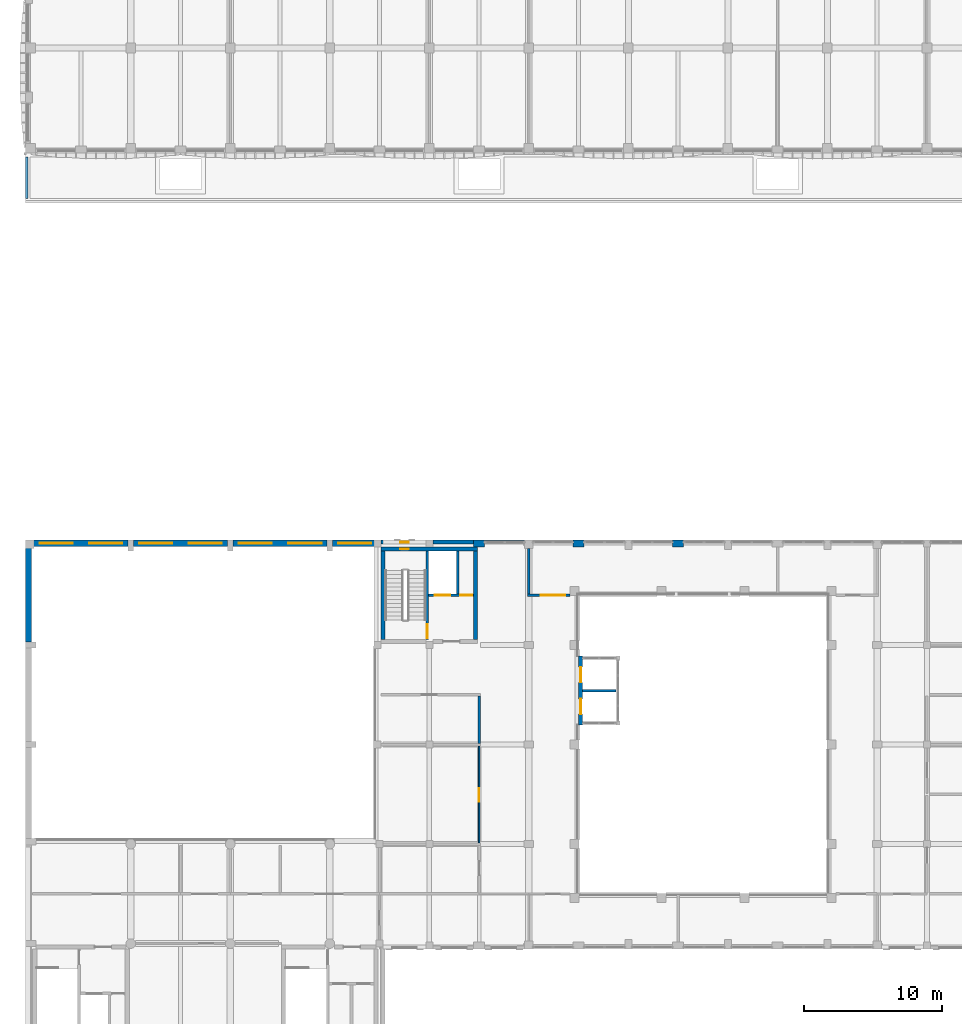
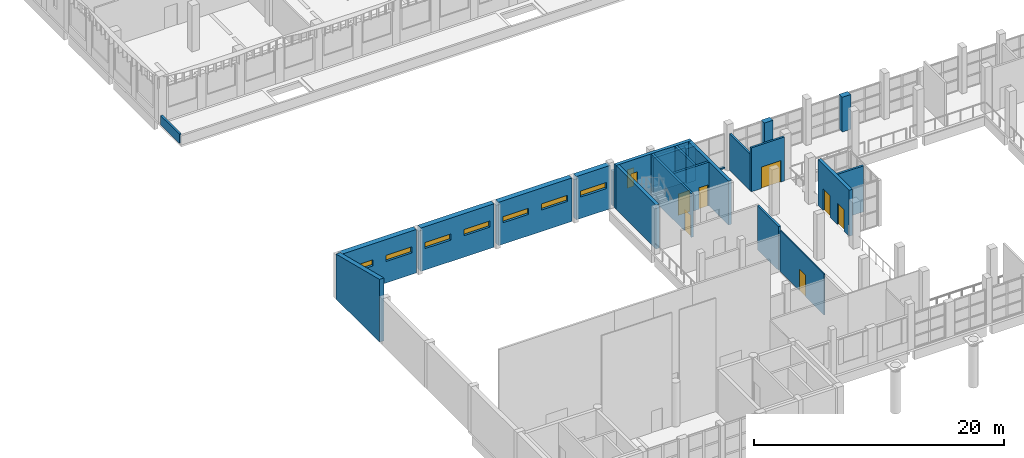
# One storey, part 20 of 59: 24 walls, 9 windows, 7 doors, 16 openings.
"""IFC4 building model written with IfcOpenShell, lengths in metres."""

from ifc_helpers import new_model, si_unit, direction, frame, frame_2d, origin, place, context, subcontext, project, spatial, polyline, rectangle, outline, extrude, material, layer, layer_set, type_object, element, fill, save


model = new_model("IFC4")

# Units and contexts
model_context = context("Model", 3, precision=1e-05, world=origin(), true_north=direction((0.0, 1.0)))
body_context = subcontext(model_context, "Body", "Model", "MODEL_VIEW")
ifc_project = project(units=[si_unit("LENGTHUNIT", "METRE"), si_unit("AREAUNIT", "SQUARE_METRE"), si_unit("VOLUMEUNIT", "CUBIC_METRE"), si_unit("PLANEANGLEUNIT", "RADIAN"), si_unit("MASSUNIT", "GRAM", prefix="KILO")], contexts=[model_context])

# Site, building, storey
site_placement = place(None, origin())
site = spatial("IfcSite", under=ifc_project, at=site_placement, CompositionType="ELEMENT")
building_placement = place(site_placement, origin())
building = spatial("IfcBuilding", under=site, at=building_placement, Name="Ussher Court Research Institute", CompositionType="ELEMENT")
storey_placement = place(building_placement, frame((0.0, 0.0, 5.39990234375)))
storey = spatial("IfcBuildingStorey", under=building, at=storey_placement, Name="L01", CompositionType="ELEMENT", Elevation=5.39990234375)

# Wall, opening, door
ifc_material_1 = material(Name="Plasterboard on steel studs with mineral wool", Category="steel")
ifc_layer_1 = layer(ifc_material_1, 0.179931640625)
ifc_layer_set_1 = layer_set([ifc_layer_1], Name="Plasterboard on steel studs with mineral wool")
wall_type_1 = type_object("IfcWallType", Name="Acoustic twin-stud partition 180", PredefinedType="PARTITIONING", material=ifc_layer_set_1)
wall_1_placement = place(storey_placement, frame((41.97509765625, 36.39990234375, 0.0), z_axis=(0.0, 0.0, 1.0), x_axis=(-1.0, 0.0, 0.0)))
wall_1 = element("IfcWall", 1, at=wall_1_placement, inside=storey, type_object=wall_type_1, Name="Partition", PredefinedType="PARTITIONING", context=body_context, shape_type="SweptSolid", body=[
    extrude(rectangle(XDim=3.065185546875, YDim=0.179931640625, at=frame_2d((1.53271484375, 0.0))), origin(), (0.0, 0.0, 1.0), 4.300048828125),
])
opening_1_placement = place(wall_1_placement, frame((0.324951171875, 0.0, 0.0)))
opening_1 = element("IfcOpeningElement", 2, at=opening_1_placement, cuts=wall_1, Name="Opening D01030", PredefinedType="OPENING", context=body_context, shape_type="SweptSolid", body=[
    extrude(rectangle(XDim=1.800048828125, YDim=2.10009765625, at=frame_2d((0.89990234375, 1.050048828125))), frame((0.0, 0.10009765625, 0.0), z_axis=(0.0, -1.0, 0.0), x_axis=(1.0, 0.0, 0.0)), (0.0, 0.0, 1.0), 0.199951171875),
])
ifc_material_2 = material(Name="Veneered timber door", Category="wood")
door_type_1 = type_object("IfcDoorType", Name="Library door 1800x2100 double leaf", OperationType="DOUBLE_DOOR_SINGLE_SWING", PredefinedType="DOOR", material=ifc_material_2)
door_1_placement = place(opening_1_placement, origin())
door_1 = element("IfcDoor", 3, at=door_1_placement, inside=storey, type_object=door_type_1, Name="Door D01030", OperationType="SINGLE_SWING_LEFT", OverallHeight=2.10009765625, OverallWidth=1.800048828125, PredefinedType="DOOR", context=body_context, shape_type="SweptSolid", body=[
    extrude(rectangle(XDim=1.800048828125, YDim=2.10009765625, at=frame_2d((0.89990234375, 1.050048828125))), frame((0.0, 0.02490234375, 0.0), z_axis=(0.0, -1.0, 0.0), x_axis=(1.0, 0.0, 0.0)), (0.0, 0.0, 1.0), 0.050048828125),
])
fill(opening_1, door_1)

# Walls
wall_2_placement = place(storey_placement, frame((35.39990234375, 25.68994140625, 0.0), z_axis=(0.0, 0.0, 1.0), x_axis=(0.0, 1.0, 0.0)))
element("IfcWall", 4, at=wall_2_placement, inside=storey, type_object=wall_type_1, Name="Partition", PredefinedType="PARTITIONING", context=body_context, shape_type="SweptSolid", body=[
    extrude(rectangle(XDim=3.420166015625, YDim=0.179931640625, at=frame_2d((1.7099609375, 0.0))), origin(), (0.0, 0.0, 1.0), 4.300048828125),
])
wall_3_placement = place(storey_placement, frame((39.0, 36.489990234375, 0.0), z_axis=(0.0, 0.0, 1.0), x_axis=(0.0, 1.0, 0.0)))
element("IfcWall", 5, at=wall_3_placement, inside=storey, type_object=wall_type_1, Name="Partition", PredefinedType="PARTITIONING", context=body_context, shape_type="SweptSolid", body=[
    extrude(rectangle(XDim=3.31005859375, YDim=0.179931640625, at=frame_2d((1.655029296875, 0.0))), origin(), (0.0, 0.0, 1.0), 3.570068359375),
])
ifc_material_3 = material(Name="Concrete C35/45", Category="concrete")
ifc_layer_2 = layer(ifc_material_3, 0.419921875)
ifc_layer_set_2 = layer_set([ifc_layer_2], Name="Concrete C35/45")
wall_type_2 = type_object("IfcWallType", Name="Blind west wall 420 reinforced concrete limestone faced", PredefinedType="SOLIDWALL", material=ifc_layer_set_2)
wall_4_placement = place(storey_placement, frame((2.81005859375, 33.02490234375, 0.0), z_axis=(0.0, 0.0, 1.0), x_axis=(0.0, 1.0, 0.0)))
element("IfcWall", 6, at=wall_4_placement, inside=storey, type_object=wall_type_2, Name="RC wall RW2 west", PredefinedType="SOLIDWALL", context=body_context, shape_type="SweptSolid", body=[
    extrude(outline(polyline([(0.0, 0.0), (6.97509765625, 0.0), (6.97509765625, 4.400146484375), (0.0, 6.143798828125), (0.0, 0.0)])), frame((0.0, 0.2099609375, 0.0), z_axis=(0.0, -1.0, 0.0), x_axis=(1.0, 0.0, 0.0)), (0.0, 0.0, 1.0), 0.419921875),
])

# Wall, opening, window
ifc_material_4 = material(Name="Limestone facing on blockwork", Category="masonry")
ifc_layer_3 = layer(ifc_material_4, 0.300048828125)
ifc_layer_set_3 = layer_set([ifc_layer_3], Name="Limestone facing on blockwork")
wall_type_3 = type_object("IfcWallType", Name="External wall 300 stair enclosure", PredefinedType="SOLIDWALL", material=ifc_layer_set_3)
wall_5_placement = place(storey_placement, frame((28.300048828125, 40.25, 0.0), z_axis=(0.0, 0.0, 1.0), x_axis=(1.0, 0.0, 0.0)))
wall_5 = element("IfcWall", 7, at=wall_5_placement, inside=storey, type_object=wall_type_3, Name="External wall EW5 L01", PredefinedType="SOLIDWALL", context=body_context, shape_type="SweptSolid", body=[
    extrude(rectangle(XDim=3.25, YDim=0.300048828125, at=frame_2d((1.625, 0.0))), origin(), (0.0, 0.0, 1.0), 3.400146484375),
])
opening_2_placement = place(wall_5_placement, frame((1.39990234375, 0.0, 1.199951171875)))
opening_2 = element("IfcOpeningElement", 8, at=opening_2_placement, cuts=wall_5, Name="Opening W25", PredefinedType="OPENING", context=body_context, shape_type="SweptSolid", body=[
    extrude(rectangle(XDim=0.60009765625, YDim=1.800048828125, at=frame_2d((0.300048828125, 0.89990234375))), frame((0.0, 0.16015625, 0.0), z_axis=(0.0, -1.0, 0.0), x_axis=(1.0, 0.0, 0.0)), (0.0, 0.0, 1.0), 0.320068359375),
])
ifc_material_5 = material(Name="Bronze anodised aluminium with double glazing", Category="aluminium")
window_type_1 = type_object("IfcWindowType", Name="Stair light slot window 600x1800 fire-resisting glazing", PartitioningType="SINGLE_PANEL", PredefinedType="WINDOW", material=ifc_material_5)
window_1_placement = place(opening_2_placement, origin())
window_1 = element("IfcWindow", 9, at=window_1_placement, inside=storey, type_object=window_type_1, Name="Window W25 L01", OverallHeight=1.800048828125, OverallWidth=0.60009765625, PartitioningType="SINGLE_PANEL", PredefinedType="WINDOW", context=body_context, shape_type="SweptSolid", body=[
    extrude(rectangle(XDim=0.60009765625, YDim=1.800048828125, at=frame_2d((0.300048828125, 0.89990234375))), frame((0.0, 0.030029296875, 0.0), z_axis=(0.0, -1.0, 0.0), x_axis=(1.0, 0.0, 0.0)), (0.0, 0.0, 1.0), 0.06005859375),
])
fill(opening_2, window_1)

# Walls
wall_6_placement = place(storey_placement, frame((32.050048828125, 40.25, 0.0), z_axis=(0.0, 0.0, 1.0), x_axis=(1.0, 0.0, 0.0)))
element("IfcWall", 10, at=wall_6_placement, inside=storey, type_object=wall_type_3, Name="External wall EW5 L01", PredefinedType="SOLIDWALL", context=body_context, shape_type="SweptSolid", body=[
    extrude(rectangle(XDim=2.949951171875, YDim=0.300048828125, at=frame_2d((1.47509765625, 0.0))), origin(), (0.0, 0.0, 1.0), 3.400146484375),
])
ifc_material_6 = material(Name="Limestone facing on insulated blockwork", Category="masonry")
ifc_layer_4 = layer(ifc_material_6, 0.219970703125)
ifc_layer_set_4 = layer_set([ifc_layer_4], Name="Limestone facing on insulated blockwork")
wall_type_4 = type_object("IfcWallType", Name="Link wall 220 limestone faced insulated block", PredefinedType="SOLIDWALL", material=ifc_layer_set_4)
wall_7_placement = place(storey_placement, frame((35.800048828125, 40.2900390625, 0.0), z_axis=(0.0, 0.0, 1.0), x_axis=(1.0, 0.0, 0.0)))
element("IfcWall", 11, at=wall_7_placement, inside=storey, type_object=wall_type_4, Name="Plinth wall EW6 L01", PredefinedType="SOLIDWALL", context=body_context, shape_type="SweptSolid", body=[
    extrude(rectangle(XDim=2.89990234375, YDim=0.219970703125, at=frame_2d((1.449951171875, 0.0))), origin(), (0.0, 0.0, 1.0), 0.150146484375),
])
ifc_material_7 = material(Name="Blockwork with cream render", Category="masonry")
ifc_layer_5 = layer(ifc_material_7, 0.179931640625)
ifc_layer_set_5 = layer_set([ifc_layer_5], Name="Blockwork with cream render")
wall_type_5 = type_object("IfcWallType", Name="Parapet 180 cream render", PredefinedType="PARAPET", material=ifc_layer_set_5)
wall_8_placement = place(storey_placement, frame((2.68994140625, 68.10009765625, 0.0), z_axis=(0.0, 0.0, 1.0), x_axis=(0.0, -1.0, 0.0)))
element("IfcWall", 12, at=wall_8_placement, inside=storey, type_object=wall_type_5, Name="Parapet PW1", PredefinedType="PARAPET", context=body_context, shape_type="SweptSolid", body=[
    extrude(rectangle(XDim=3.0, YDim=0.179931640625, at=frame_2d((1.5, 0.0))), origin(), (0.0, 0.0, 1.0), 0.900146484375),
])

# Wall, opening, door
ifc_material_8 = material(Name="Plastered blockwork", Category="masonry")
ifc_layer_6 = layer(ifc_material_8, 0.10009765625)
ifc_layer_set_6 = layer_set([ifc_layer_6], Name="Plastered blockwork")
wall_type_6 = type_object("IfcWallType", Name="Partition plastered blockwork 100", PredefinedType="PARTITIONING", material=ifc_layer_set_6)
wall_9_placement = place(storey_placement, frame((35.39990234375, 18.489990234375, 0.0), z_axis=(0.0, 0.0, 1.0), x_axis=(0.0, 1.0, 0.0)))
wall_9 = element("IfcWall", 13, at=wall_9_placement, inside=storey, type_object=wall_type_6, Name="Partition", PredefinedType="PARTITIONING", context=body_context, shape_type="SweptSolid", body=[
    extrude(rectangle(XDim=7.02001953125, YDim=0.10009765625, at=frame_2d((3.510009765625, 0.0))), origin(), (0.0, 0.0, 1.0), 4.02001953125),
])
opening_3_placement = place(wall_9_placement, frame((2.9599609375, 0.0, 0.0)))
opening_3 = element("IfcOpeningElement", 14, at=opening_3_placement, cuts=wall_9, Name="Opening D01027", PredefinedType="OPENING", context=body_context, shape_type="SweptSolid", body=[
    extrude(rectangle(XDim=1.0, YDim=2.10009765625, at=frame_2d((0.5, 1.050048828125))), frame((0.0, 0.06005859375, 0.0), z_axis=(0.0, -1.0, 0.0), x_axis=(1.0, 0.0, 0.0)), (0.0, 0.0, 1.0), 0.1201171875),
])
ifc_material_9 = material(Name="Veneered timber door", Category="wood")
door_type_2 = type_object("IfcDoorType", Name="Office door 1000x2100", OperationType="NOTDEFINED", PredefinedType="DOOR", material=ifc_material_9)
door_2_placement = place(opening_3_placement, origin())
door_2 = element("IfcDoor", 15, at=door_2_placement, inside=storey, type_object=door_type_2, Name="Door D01027", OperationType="SINGLE_SWING_LEFT", OverallHeight=2.10009765625, OverallWidth=1.0, PredefinedType="DOOR", context=body_context, shape_type="SweptSolid", body=[
    extrude(rectangle(XDim=1.0, YDim=2.10009765625, at=frame_2d((0.5, 1.050048828125))), frame((0.0, 0.02490234375, 0.0), z_axis=(0.0, -1.0, 0.0), x_axis=(1.0, 0.0, 0.0)), (0.0, 0.0, 1.0), 0.050048828125),
])
fill(opening_3, door_2)

# Walls
ifc_material_10 = material(Name="Rusticated limestone facing on blockwork", Category="masonry")
ifc_layer_7 = layer(ifc_material_10, 0.5)
ifc_layer_set_7 = layer_set([ifc_layer_7], Name="Rusticated limestone facing on blockwork")
wall_type_7 = type_object("IfcWallType", Name="Pier 800x500 rusticated limestone", PredefinedType="SOLIDWALL", material=ifc_layer_set_7)
for number, where, z_axis, x_axis, name in (
    (16, (35.0, 40.14990234375, 0.0), (0.0, 0.0, 1.0), (1.0, 0.0, 0.0), "Pier PR2 L01"),
    (17, (42.199951171875, 40.14990234375, 0.0), (0.0, 0.0, 1.0), (1.0, 0.0, 0.0), "Pier PR2 L01"),
    (18, (49.39990234375, 40.14990234375, 0.0), (0.0, 0.0, 1.0), (1.0, 0.0, 0.0), "Pier PR2 L01"),
):
    element("IfcWall", number, at=place(storey_placement, frame(where, z_axis=z_axis, x_axis=x_axis)), inside=storey, type_object=wall_type_7, Name=name, PredefinedType="SOLIDWALL", context=body_context, shape_type="SweptSolid", body=[
        extrude(rectangle(XDim=0.800048828125, YDim=0.5, at=frame_2d((0.39990234375, 0.0))), origin(), (0.0, 0.0, 1.0), 3.400146484375),
    ])

# Wall, opening, door
ifc_material_11 = material(Name="Concrete C35/45", Category="concrete")
ifc_layer_8 = layer(ifc_material_11, 0.199951171875)
ifc_layer_set_8 = layer_set([ifc_layer_8], Name="Concrete C35/45")
wall_type_8 = type_object("IfcWallType", Name="RC core wall 200", PredefinedType="SHEAR", material=ifc_layer_set_8)
wall_10_placement = place(storey_placement, frame((31.64990234375, 33.199951171875, 0.0), z_axis=(0.0, 0.0, 1.0), x_axis=(0.0, 1.0, 0.0)))
wall_10 = element("IfcWall", 19, at=wall_10_placement, inside=storey, type_object=wall_type_8, Name="Core wall W1", PredefinedType="SHEAR", context=body_context, shape_type="SweptSolid", body=[
    extrude(rectangle(XDim=6.400146484375, YDim=0.199951171875, at=frame_2d((3.2001953125, 0.0))), origin(), (0.0, 0.0, 1.0), 4.300048828125),
])
opening_4_placement = place(wall_10_placement, frame((0.10009765625, 0.0, 0.0)))
opening_4 = element("IfcOpeningElement", 20, at=opening_4_placement, cuts=wall_10, Name="Opening D01021", PredefinedType="OPENING", context=body_context, shape_type="SweptSolid", body=[
    extrude(rectangle(XDim=1.0, YDim=2.10009765625, at=frame_2d((0.5, 1.050048828125))), frame((0.0, 0.10986328125, 0.0), z_axis=(0.0, -1.0, 0.0), x_axis=(1.0, 0.0, 0.0)), (0.0, 0.0, 1.0), 0.219970703125),
])
ifc_material_12 = material(Name="Painted steel faced fire door", Category="steel")
door_type_3 = type_object("IfcDoorType", Name="Fire door 1000x2100 FD60", OperationType="NOTDEFINED", PredefinedType="DOOR", material=ifc_material_12)
door_3_placement = place(opening_4_placement, origin())
door_3 = element("IfcDoor", 21, at=door_3_placement, inside=storey, type_object=door_type_3, Name="Door D01021", OperationType="SINGLE_SWING_LEFT", OverallHeight=2.10009765625, OverallWidth=1.0, PredefinedType="DOOR", context=body_context, shape_type="SweptSolid", body=[
    extrude(rectangle(XDim=1.0, YDim=2.10009765625, at=frame_2d((0.5, 1.050048828125))), frame((0.0, 0.02490234375, 0.0), z_axis=(0.0, -1.0, 0.0), x_axis=(1.0, 0.0, 0.0)), (0.0, 0.0, 1.0), 0.050048828125),
])
fill(opening_4, door_3)

# Wall, openings, doors
wall_11_placement = place(storey_placement, frame((35.0, 36.39990234375, 0.0), z_axis=(0.0, 0.0, 1.0), x_axis=(-1.0, 0.0, 0.0)))
wall_11 = element("IfcWall", 22, at=wall_11_placement, inside=storey, type_object=wall_type_8, Name="Core wall W1", PredefinedType="SHEAR", context=body_context, shape_type="SweptSolid", body=[
    extrude(rectangle(XDim=3.25, YDim=0.199951171875, at=frame_2d((1.625, 0.0))), origin(), (0.0, 0.0, 1.0), 4.300048828125),
])
opening_5_placement = place(wall_11_placement, frame((1.699951171875, 0.0, 0.0)))
opening_5 = element("IfcOpeningElement", 23, at=opening_5_placement, cuts=wall_11, Name="Opening LD16", PredefinedType="OPENING", context=body_context, shape_type="SweptSolid", body=[
    extrude(rectangle(XDim=1.10009765625, YDim=2.10009765625, at=frame_2d((0.550048828125, 1.050048828125))), frame((0.0, 0.10986328125, 0.0), z_axis=(0.0, -1.0, 0.0), x_axis=(1.0, 0.0, 0.0)), (0.0, 0.0, 1.0), 0.219970703125),
])
opening_6_placement = place(wall_11_placement, frame((0.10009765625, 0.0, 0.0)))
opening_6 = element("IfcOpeningElement", 24, at=opening_6_placement, cuts=wall_11, Name="Opening D01025", PredefinedType="OPENING", context=body_context, shape_type="SweptSolid", body=[
    extrude(rectangle(XDim=0.85009765625, YDim=2.10009765625, at=frame_2d((0.425048828125, 1.050048828125))), frame((0.0, 0.10986328125, 0.0), z_axis=(0.0, -1.0, 0.0), x_axis=(1.0, 0.0, 0.0)), (0.0, 0.0, 1.0), 0.219970703125),
])
ifc_material_13 = material(Name="Painted steel faced fire door", Category="steel")
door_type_4 = type_object("IfcDoorType", Name="Fire door 850x2100 FD60", OperationType="NOTDEFINED", PredefinedType="DOOR", material=ifc_material_13)
door_4_placement = place(opening_6_placement, origin())
door_4 = element("IfcDoor", 25, at=door_4_placement, inside=storey, type_object=door_type_4, Name="Door D01025", OperationType="SINGLE_SWING_LEFT", OverallHeight=2.10009765625, OverallWidth=0.85009765625, PredefinedType="DOOR", context=body_context, shape_type="SweptSolid", body=[
    extrude(rectangle(XDim=0.85009765625, YDim=2.10009765625, at=frame_2d((0.425048828125, 1.050048828125))), frame((0.0, 0.02490234375, 0.0), z_axis=(0.0, -1.0, 0.0), x_axis=(1.0, 0.0, 0.0)), (0.0, 0.0, 1.0), 0.050048828125),
])
fill(opening_6, door_4)
ifc_material_14 = material(Name="Stainless steel lift door", Category="steel")
door_type_5 = type_object("IfcDoorType", Name="Lift landing door 1100x2100 sliding", OperationType="DOUBLE_DOOR_SLIDING", PredefinedType="DOOR", material=ifc_material_14)
door_5_placement = place(opening_5_placement, origin())
door_5 = element("IfcDoor", 26, at=door_5_placement, inside=storey, type_object=door_type_5, Name="Landing door W1-1 L01", OperationType="DOUBLE_DOOR_SLIDING", OverallHeight=2.10009765625, OverallWidth=1.10009765625, PredefinedType="DOOR", context=body_context, shape_type="SweptSolid", body=[
    extrude(rectangle(XDim=1.10009765625, YDim=2.10009765625, at=frame_2d((0.550048828125, 1.050048828125))), frame((0.0, 0.02490234375, 0.0), z_axis=(0.0, -1.0, 0.0), x_axis=(1.0, 0.0, 0.0)), (0.0, 0.0, 1.0), 0.050048828125),
])
fill(opening_5, door_5)

# Walls
wall_12_placement = place(storey_placement, frame((33.85009765625, 36.5, 0.0), z_axis=(0.0, 0.0, 1.0), x_axis=(0.0, 1.0, 0.0)))
element("IfcWall", 27, at=wall_12_placement, inside=storey, type_object=wall_type_8, Name="Core wall W1", PredefinedType="SHEAR", context=body_context, shape_type="SweptSolid", body=[
    extrude(rectangle(XDim=3.10009765625, YDim=0.199951171875, at=frame_2d((1.550048828125, 0.0))), origin(), (0.0, 0.0, 1.0), 4.300048828125),
])
wall_13_placement = place(storey_placement, frame((42.89990234375, 29.5, 0.0), z_axis=(0.0, 0.0, 1.0), x_axis=(1.0, 0.0, 0.0)))
element("IfcWall", 28, at=wall_13_placement, inside=storey, type_object=wall_type_8, Name="Lift shaft divider atrium", PredefinedType="SHEAR", context=body_context, shape_type="SweptSolid", body=[
    extrude(rectangle(XDim=2.400146484375, YDim=0.199951171875, at=frame_2d((1.2001953125, 0.0))), origin(), (0.0, 0.0, 1.0), 4.5),
])

# Wall, opening, window
ifc_material_15 = material(Name="Concrete C35/45", Category="concrete")
ifc_layer_9 = layer(ifc_material_15, 0.300048828125)
ifc_layer_set_9 = layer_set([ifc_layer_9], Name="Concrete C35/45")
wall_type_9 = type_object("IfcWallType", Name="RC core wall 300", PredefinedType="SHEAR", material=ifc_layer_set_9)
wall_14_placement = place(storey_placement, frame((28.300048828125, 39.75, 0.0), z_axis=(0.0, 0.0, 1.0), x_axis=(1.0, 0.0, 0.0)))
wall_14 = element("IfcWall", 29, at=wall_14_placement, inside=storey, type_object=wall_type_9, Name="Core wall W1", PredefinedType="SHEAR", context=body_context, shape_type="SweptSolid", body=[
    extrude(rectangle(XDim=7.0, YDim=0.300048828125, at=frame_2d((3.5, 0.0))), origin(), (0.0, 0.0, 1.0), 4.300048828125),
])
opening_7_placement = place(wall_14_placement, frame((1.39990234375, 0.0, 1.199951171875)))
opening_7 = element("IfcOpeningElement", 30, at=opening_7_placement, cuts=wall_14, Name="Opening W25", PredefinedType="OPENING", context=body_context, shape_type="SweptSolid", body=[
    extrude(rectangle(XDim=0.60009765625, YDim=1.800048828125, at=frame_2d((0.300048828125, 0.89990234375))), frame((0.0, 0.16015625, 0.0), z_axis=(0.0, -1.0, 0.0), x_axis=(1.0, 0.0, 0.0)), (0.0, 0.0, 1.0), 0.320068359375),
])
window_2_placement = place(opening_7_placement, origin())
window_2 = element("IfcWindow", 31, at=window_2_placement, inside=storey, type_object=window_type_1, Name="Window stair light W1 L01", OverallHeight=1.800048828125, OverallWidth=0.60009765625, PartitioningType="SINGLE_PANEL", PredefinedType="WINDOW", context=body_context, shape_type="SweptSolid", body=[
    extrude(rectangle(XDim=0.60009765625, YDim=1.800048828125, at=frame_2d((0.300048828125, 0.89990234375))), frame((0.0, 0.030029296875, 0.0), z_axis=(0.0, -1.0, 0.0), x_axis=(1.0, 0.0, 0.0)), (0.0, 0.0, 1.0), 0.06005859375),
])
fill(opening_7, window_2)

# Walls
for number, where, z_axis, x_axis, name in (
    (32, (28.449951171875, 33.199951171875, 0.0), (0.0, 0.0, 1.0), (0.0, 1.0, 0.0), "Core wall W1"),
    (33, (35.14990234375, 33.199951171875, 0.0), (0.0, 0.0, 1.0), (0.0, 1.0, 0.0), "Core wall W1"),
):
    element("IfcWall", number, at=place(storey_placement, frame(where, z_axis=z_axis, x_axis=x_axis)), inside=storey, type_object=wall_type_9, Name=name, PredefinedType="SHEAR", context=body_context, shape_type="SweptSolid", body=[
        extrude(rectangle(XDim=6.400146484375, YDim=0.300048828125, at=frame_2d((3.2001953125, 0.0))), origin(), (0.0, 0.0, 1.0), 4.300048828125),
    ])

# Wall, openings, doors
wall_15_placement = place(storey_placement, frame((42.75, 27.0, 0.0), z_axis=(0.0, 0.0, 1.0), x_axis=(0.0, 1.0, 0.0)))
wall_15 = element("IfcWall", 34, at=wall_15_placement, inside=storey, type_object=wall_type_9, Name="Lift shaft wall atrium", PredefinedType="SHEAR", context=body_context, shape_type="SweptSolid", body=[
    extrude(rectangle(XDim=5.0, YDim=0.300048828125, at=frame_2d((2.5, 0.0))), origin(), (0.0, 0.0, 1.0), 4.5),
])
opening_8_placement = place(wall_15_placement, frame((0.800048828125, 0.0, 0.0)))
opening_8 = element("IfcOpeningElement", 35, at=opening_8_placement, cuts=wall_15, Name="Opening LD17", PredefinedType="OPENING", context=body_context, shape_type="SweptSolid", body=[
    extrude(rectangle(XDim=1.10009765625, YDim=2.10009765625, at=frame_2d((0.550048828125, 1.050048828125))), frame((0.0, 0.16015625, 0.0), z_axis=(0.0, -1.0, 0.0), x_axis=(1.0, 0.0, 0.0)), (0.0, 0.0, 1.0), 0.320068359375),
])
opening_9_placement = place(wall_15_placement, frame((3.10009765625, 0.0, 0.0)))
opening_9 = element("IfcOpeningElement", 36, at=opening_9_placement, cuts=wall_15, Name="Opening LD18", PredefinedType="OPENING", context=body_context, shape_type="SweptSolid", body=[
    extrude(rectangle(XDim=1.10009765625, YDim=2.10009765625, at=frame_2d((0.550048828125, 1.050048828125))), frame((0.0, 0.16015625, 0.0), z_axis=(0.0, -1.0, 0.0), x_axis=(1.0, 0.0, 0.0)), (0.0, 0.0, 1.0), 0.320068359375),
])
door_6_placement = place(opening_8_placement, origin())
door_6 = element("IfcDoor", 37, at=door_6_placement, inside=storey, type_object=door_type_5, Name="Landing door LP7 L01", OperationType="DOUBLE_DOOR_SLIDING", OverallHeight=2.10009765625, OverallWidth=1.10009765625, PredefinedType="DOOR", context=body_context, shape_type="SweptSolid", body=[
    extrude(rectangle(XDim=1.10009765625, YDim=2.10009765625, at=frame_2d((0.550048828125, 1.050048828125))), frame((0.0, 0.02490234375, 0.0), z_axis=(0.0, -1.0, 0.0), x_axis=(1.0, 0.0, 0.0)), (0.0, 0.0, 1.0), 0.050048828125),
])
fill(opening_8, door_6)
door_7_placement = place(opening_9_placement, origin())
door_7 = element("IfcDoor", 38, at=door_7_placement, inside=storey, type_object=door_type_5, Name="Landing door LP8 L01", OperationType="DOUBLE_DOOR_SLIDING", OverallHeight=2.10009765625, OverallWidth=1.10009765625, PredefinedType="DOOR", context=body_context, shape_type="SweptSolid", body=[
    extrude(rectangle(XDim=1.10009765625, YDim=2.10009765625, at=frame_2d((0.550048828125, 1.050048828125))), frame((0.0, 0.02490234375, 0.0), z_axis=(0.0, -1.0, 0.0), x_axis=(1.0, 0.0, 0.0)), (0.0, 0.0, 1.0), 0.050048828125),
])
fill(opening_9, door_7)

# Wall, openings, windows
ifc_material_16 = material(Name="Concrete C35/45", Category="concrete")
ifc_layer_10 = layer(ifc_material_16, 0.47998046875)
ifc_layer_set_10 = layer_set([ifc_layer_10], Name="Concrete C35/45")
wall_type_10 = type_object("IfcWallType", Name="Stage house wall 480 reinforced concrete limestone faced", PredefinedType="SOLIDWALL", material=ifc_layer_set_10)
wall_16_placement = place(storey_placement, frame((3.0, 40.159912109375, 0.0), z_axis=(0.0, 0.0, 1.0), x_axis=(1.0, 0.0, 0.0)))
wall_16 = element("IfcWall", 39, at=wall_16_placement, inside=storey, type_object=wall_type_10, Name="RC wall RW3 north", PredefinedType="SOLIDWALL", context=body_context, shape_type="SweptSolid", body=[
    extrude(rectangle(XDim=7.0, YDim=0.47998046875, at=frame_2d((3.5, 0.0))), origin(), (0.0, 0.0, 1.0), 4.25),
])
opening_10_placement = place(wall_16_placement, frame((0.60009765625, 0.0, 2.10009765625)))
opening_10 = element("IfcOpeningElement", 40, at=opening_10_placement, cuts=wall_16, Name="Opening W07", PredefinedType="OPENING", context=body_context, shape_type="SweptSolid", body=[
    extrude(rectangle(XDim=2.39990234375, YDim=0.60009765625, at=frame_2d((1.199951171875, 0.300048828125))), frame((0.0, 0.25, 0.0), z_axis=(0.0, -1.0, 0.0), x_axis=(1.0, 0.0, 0.0)), (0.0, 0.0, 1.0), 0.5),
])
opening_11_placement = place(wall_16_placement, frame((4.199951171875, 0.0, 2.10009765625)))
opening_11 = element("IfcOpeningElement", 41, at=opening_11_placement, cuts=wall_16, Name="Opening W07", PredefinedType="OPENING", context=body_context, shape_type="SweptSolid", body=[
    extrude(rectangle(XDim=2.39990234375, YDim=0.60009765625, at=frame_2d((1.199951171875, 0.300048828125))), frame((0.0, 0.25, 0.0), z_axis=(0.0, -1.0, 0.0), x_axis=(1.0, 0.0, 0.0)), (0.0, 0.0, 1.0), 0.5),
])
ifc_material_17 = material(Name="Bronze anodised aluminium with double glazing", Category="aluminium")
window_type_2 = type_object("IfcWindowType", Name="Stage house slot band window 2400x600", PartitioningType="TRIPLE_PANEL_HORIZONTAL", PredefinedType="WINDOW", material=ifc_material_17)
window_3_placement = place(opening_10_placement, origin())
window_3 = element("IfcWindow", 42, at=window_3_placement, inside=storey, type_object=window_type_2, Name="Window W07 north", OverallHeight=0.60009765625, OverallWidth=2.39990234375, PartitioningType="SINGLE_PANEL", PredefinedType="WINDOW", context=body_context, shape_type="SweptSolid", body=[
    extrude(rectangle(XDim=2.39990234375, YDim=0.60009765625, at=frame_2d((1.199951171875, 0.300048828125))), frame((0.0, 0.030029296875, 0.0), z_axis=(0.0, -1.0, 0.0), x_axis=(1.0, 0.0, 0.0)), (0.0, 0.0, 1.0), 0.06005859375),
])
fill(opening_10, window_3)
window_4_placement = place(opening_11_placement, origin())
window_4 = element("IfcWindow", 43, at=window_4_placement, inside=storey, type_object=window_type_2, Name="Window W07 north", OverallHeight=0.60009765625, OverallWidth=2.39990234375, PartitioningType="SINGLE_PANEL", PredefinedType="WINDOW", context=body_context, shape_type="SweptSolid", body=[
    extrude(rectangle(XDim=2.39990234375, YDim=0.60009765625, at=frame_2d((1.199951171875, 0.300048828125))), frame((0.0, 0.030029296875, 0.0), z_axis=(0.0, -1.0, 0.0), x_axis=(1.0, 0.0, 0.0)), (0.0, 0.0, 1.0), 0.06005859375),
])
fill(opening_11, window_4)

wall_17_placement = place(storey_placement, frame((10.39990234375, 40.159912109375, 0.0), z_axis=(0.0, 0.0, 1.0), x_axis=(1.0, 0.0, 0.0)))
wall_17 = element("IfcWall", 44, at=wall_17_placement, inside=storey, type_object=wall_type_10, Name="RC wall RW3 north", PredefinedType="SOLIDWALL", context=body_context, shape_type="SweptSolid", body=[
    extrude(rectangle(XDim=6.800048828125, YDim=0.47998046875, at=frame_2d((3.39990234375, 0.0))), origin(), (0.0, 0.0, 1.0), 4.25),
])
opening_12_placement = place(wall_17_placement, frame((0.39990234375, 0.0, 2.10009765625)))
opening_12 = element("IfcOpeningElement", 45, at=opening_12_placement, cuts=wall_17, Name="Opening W07", PredefinedType="OPENING", context=body_context, shape_type="SweptSolid", body=[
    extrude(rectangle(XDim=2.39990234375, YDim=0.60009765625, at=frame_2d((1.199951171875, 0.300048828125))), frame((0.0, 0.25, 0.0), z_axis=(0.0, -1.0, 0.0), x_axis=(1.0, 0.0, 0.0)), (0.0, 0.0, 1.0), 0.5),
])
opening_13_placement = place(wall_17_placement, frame((4.0, 0.0, 2.10009765625)))
opening_13 = element("IfcOpeningElement", 46, at=opening_13_placement, cuts=wall_17, Name="Opening W07", PredefinedType="OPENING", context=body_context, shape_type="SweptSolid", body=[
    extrude(rectangle(XDim=2.39990234375, YDim=0.60009765625, at=frame_2d((1.199951171875, 0.300048828125))), frame((0.0, 0.25, 0.0), z_axis=(0.0, -1.0, 0.0), x_axis=(1.0, 0.0, 0.0)), (0.0, 0.0, 1.0), 0.5),
])
window_5_placement = place(opening_12_placement, origin())
window_5 = element("IfcWindow", 47, at=window_5_placement, inside=storey, type_object=window_type_2, Name="Window W07 north", OverallHeight=0.60009765625, OverallWidth=2.39990234375, PartitioningType="SINGLE_PANEL", PredefinedType="WINDOW", context=body_context, shape_type="SweptSolid", body=[
    extrude(rectangle(XDim=2.39990234375, YDim=0.60009765625, at=frame_2d((1.199951171875, 0.300048828125))), frame((0.0, 0.030029296875, 0.0), z_axis=(0.0, -1.0, 0.0), x_axis=(1.0, 0.0, 0.0)), (0.0, 0.0, 1.0), 0.06005859375),
])
fill(opening_12, window_5)
window_6_placement = place(opening_13_placement, origin())
window_6 = element("IfcWindow", 48, at=window_6_placement, inside=storey, type_object=window_type_2, Name="Window W07 north", OverallHeight=0.60009765625, OverallWidth=2.39990234375, PartitioningType="SINGLE_PANEL", PredefinedType="WINDOW", context=body_context, shape_type="SweptSolid", body=[
    extrude(rectangle(XDim=2.39990234375, YDim=0.60009765625, at=frame_2d((1.199951171875, 0.300048828125))), frame((0.0, 0.030029296875, 0.0), z_axis=(0.0, -1.0, 0.0), x_axis=(1.0, 0.0, 0.0)), (0.0, 0.0, 1.0), 0.06005859375),
])
fill(opening_13, window_6)

wall_18_placement = place(storey_placement, frame((17.60009765625, 40.159912109375, 0.0), z_axis=(0.0, 0.0, 1.0), x_axis=(1.0, 0.0, 0.0)))
wall_18 = element("IfcWall", 49, at=wall_18_placement, inside=storey, type_object=wall_type_10, Name="RC wall RW3 north", PredefinedType="SOLIDWALL", context=body_context, shape_type="SweptSolid", body=[
    extrude(rectangle(XDim=6.7998046875, YDim=0.47998046875, at=frame_2d((3.39990234375, 0.0))), origin(), (0.0, 0.0, 1.0), 4.25),
])
opening_14_placement = place(wall_18_placement, frame((0.39990234375, 0.0, 2.10009765625)))
opening_14 = element("IfcOpeningElement", 50, at=opening_14_placement, cuts=wall_18, Name="Opening W07", PredefinedType="OPENING", context=body_context, shape_type="SweptSolid", body=[
    extrude(rectangle(XDim=2.39990234375, YDim=0.60009765625, at=frame_2d((1.199951171875, 0.300048828125))), frame((0.0, 0.25, 0.0), z_axis=(0.0, -1.0, 0.0), x_axis=(1.0, 0.0, 0.0)), (0.0, 0.0, 1.0), 0.5),
])
opening_15_placement = place(wall_18_placement, frame((4.0, 0.0, 2.10009765625)))
opening_15 = element("IfcOpeningElement", 51, at=opening_15_placement, cuts=wall_18, Name="Opening W07", PredefinedType="OPENING", context=body_context, shape_type="SweptSolid", body=[
    extrude(rectangle(XDim=2.39990234375, YDim=0.60009765625, at=frame_2d((1.199951171875, 0.300048828125))), frame((0.0, 0.25, 0.0), z_axis=(0.0, -1.0, 0.0), x_axis=(1.0, 0.0, 0.0)), (0.0, 0.0, 1.0), 0.5),
])
window_7_placement = place(opening_14_placement, origin())
window_7 = element("IfcWindow", 52, at=window_7_placement, inside=storey, type_object=window_type_2, Name="Window W07 north", OverallHeight=0.60009765625, OverallWidth=2.39990234375, PartitioningType="SINGLE_PANEL", PredefinedType="WINDOW", context=body_context, shape_type="SweptSolid", body=[
    extrude(rectangle(XDim=2.39990234375, YDim=0.60009765625, at=frame_2d((1.199951171875, 0.300048828125))), frame((0.0, 0.030029296875, 0.0), z_axis=(0.0, -1.0, 0.0), x_axis=(1.0, 0.0, 0.0)), (0.0, 0.0, 1.0), 0.06005859375),
])
fill(opening_14, window_7)
window_8_placement = place(opening_15_placement, origin())
window_8 = element("IfcWindow", 53, at=window_8_placement, inside=storey, type_object=window_type_2, Name="Window W07 north", OverallHeight=0.60009765625, OverallWidth=2.39990234375, PartitioningType="SINGLE_PANEL", PredefinedType="WINDOW", context=body_context, shape_type="SweptSolid", body=[
    extrude(rectangle(XDim=2.39990234375, YDim=0.60009765625, at=frame_2d((1.199951171875, 0.300048828125))), frame((0.0, 0.030029296875, 0.0), z_axis=(0.0, -1.0, 0.0), x_axis=(1.0, 0.0, 0.0)), (0.0, 0.0, 1.0), 0.06005859375),
])
fill(opening_15, window_8)

# Wall, opening, window
wall_19_placement = place(storey_placement, frame((24.800048828125, 40.159912109375, 0.0), z_axis=(0.0, 0.0, 1.0), x_axis=(1.0, 0.0, 0.0)))
wall_19 = element("IfcWall", 54, at=wall_19_placement, inside=storey, type_object=wall_type_10, Name="RC wall RW3 north", PredefinedType="SOLIDWALL", context=body_context, shape_type="SweptSolid", body=[
    extrude(rectangle(XDim=3.14990234375, YDim=0.47998046875, at=frame_2d((1.574951171875, 0.0))), origin(), (0.0, 0.0, 1.0), 4.25),
])
opening_16_placement = place(wall_19_placement, frame((0.39990234375, 0.0, 2.10009765625)))
opening_16 = element("IfcOpeningElement", 55, at=opening_16_placement, cuts=wall_19, Name="Opening W07", PredefinedType="OPENING", context=body_context, shape_type="SweptSolid", body=[
    extrude(rectangle(XDim=2.39990234375, YDim=0.60009765625, at=frame_2d((1.199951171875, 0.300048828125))), frame((0.0, 0.25, 0.0), z_axis=(0.0, -1.0, 0.0), x_axis=(1.0, 0.0, 0.0)), (0.0, 0.0, 1.0), 0.5),
])
window_9_placement = place(opening_16_placement, origin())
window_9 = element("IfcWindow", 56, at=window_9_placement, inside=storey, type_object=window_type_2, Name="Window W07 north", OverallHeight=0.60009765625, OverallWidth=2.39990234375, PartitioningType="SINGLE_PANEL", PredefinedType="WINDOW", context=body_context, shape_type="SweptSolid", body=[
    extrude(rectangle(XDim=2.39990234375, YDim=0.60009765625, at=frame_2d((1.199951171875, 0.300048828125))), frame((0.0, 0.030029296875, 0.0), z_axis=(0.0, -1.0, 0.0), x_axis=(1.0, 0.0, 0.0)), (0.0, 0.0, 1.0), 0.06005859375),
])
fill(opening_16, window_9)

save(model, "model.ifc")
